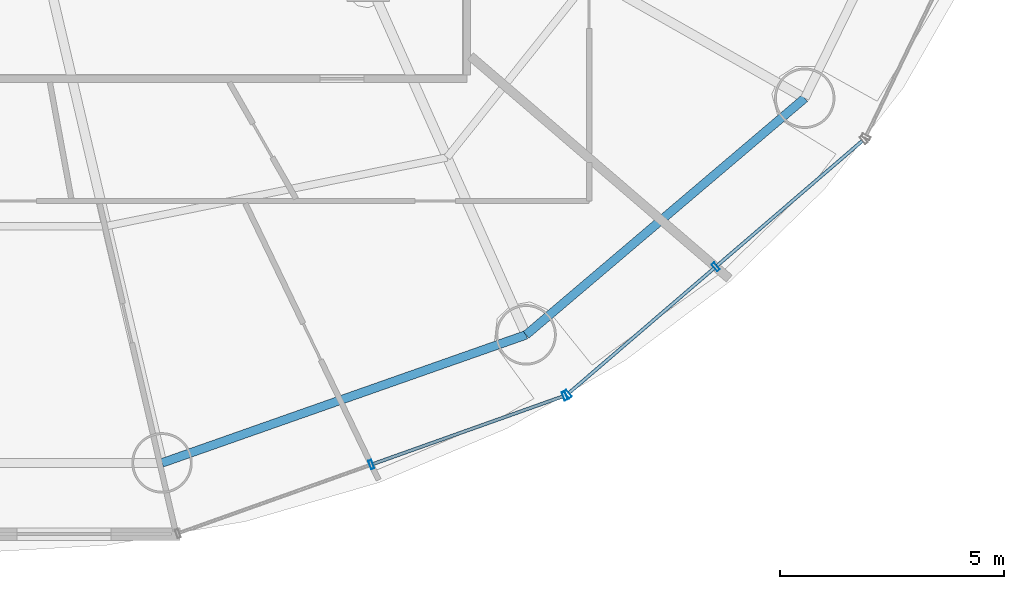
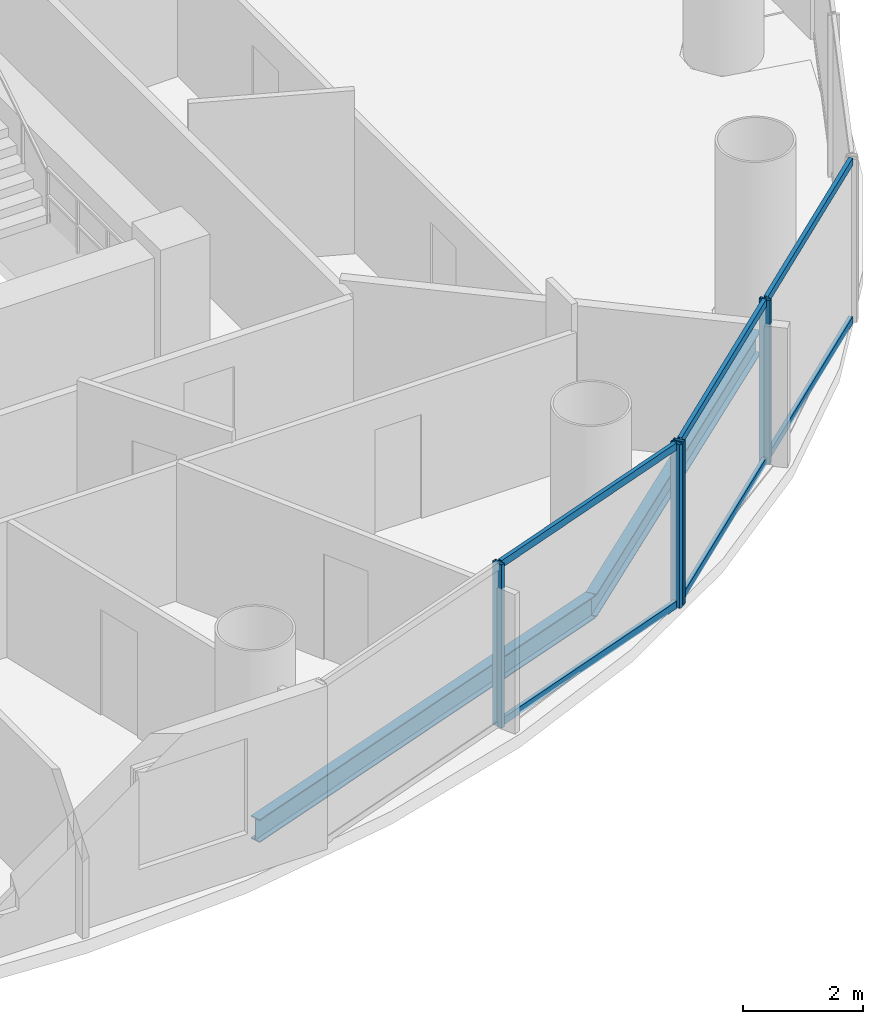
# One storey, part 9 of 27: 10 members, 2 beams, 2 elements without a shape of their own.
"""IFC4 building model written with IfcOpenShell, lengths in metres."""

import ifcopenshell
import ifcopenshell.guid

model = None  # the IFC model being written
_history = None  # IfcOwnerHistory: only IFC2X3 demands one
_inside = {}  # id of a spatial element -> (the spatial element, [elements in it])
_under = {}  # id of a project, library or spatial element -> (it, [spatial elements below it])
_declared = {}  # id of a project -> (the project, [libraries it declares])
_typed = {}  # id of a type object -> (the type object, [elements of that type])
_made_of = {}  # id of a material, layer set ... -> (it, [elements and type objects made of it])


def new_model(schema):
    """Start an empty IFC model of exactly this schema.

    Asked for "IFC4X3", IfcOpenShell would pick the latest addendum, in which some entities
    have other attributes; the version numbers below select the first issue.
    IFC2X3 requires an IfcOwnerHistory on every rooted entity: one is made here for all.
    """
    global model, _history
    if schema == "IFC4X3":
        model = ifcopenshell.file(schema_version=(4, 3, 0, 0))
    else:
        model = ifcopenshell.file(schema=schema)
    _inside.clear()
    _under.clear()
    _declared.clear()
    _typed.clear()
    _made_of.clear()
    _history = None
    if model.schema == "IFC2X3":
        org = make("IfcOrganization", Name="unknown")
        user = make(
            "IfcPersonAndOrganization",
            ThePerson=make("IfcPerson", FamilyName="unknown"),
            TheOrganization=org,
        )
        app = make(
            "IfcApplication",
            ApplicationDeveloper=org,
            Version="unknown",
            ApplicationFullName="unknown",
            ApplicationIdentifier="unknown",
        )
        _history = make(
            "IfcOwnerHistory",
            OwningUser=user,
            OwningApplication=app,
            ChangeAction="ADDED",
            CreationDate=0,
        )
    return model


def make(cls, **values):
    """One entity of the class cls with the attributes given. An attribute that is None is left unset."""
    return model.create_entity(
        cls, **{name: value for name, value in values.items() if value is not None}
    )


def rooted(cls, **values):
    """An entity with a GlobalId (a new one), such as an element, a storey or a relation."""
    return make(cls, GlobalId=ifcopenshell.guid.new(), OwnerHistory=_history, **values)


def si_unit(unit_type, name, prefix=None):
    """IfcSIUnit, for example si_unit("LENGTHUNIT", "METRE", prefix="MILLI")."""
    return make("IfcSIUnit", UnitType=unit_type, Prefix=prefix, Name=name)


def assignment(units):
    """IfcUnitAssignment: the units of a project."""
    return None if units is None else make("IfcUnitAssignment", Units=units)


def point(xyz):
    """IfcCartesianPoint."""
    return None if xyz is None else make("IfcCartesianPoint", Coordinates=xyz)


def direction(xyz):
    """IfcDirection."""
    return None if xyz is None else make("IfcDirection", DirectionRatios=xyz)


def frame(location, z_axis=None, x_axis=None):
    """IfcAxis2Placement3D, a coordinate frame: its origin and axes. An axis left out is left unset."""
    return make(
        "IfcAxis2Placement3D",
        Location=point(location),
        Axis=direction(z_axis),
        RefDirection=direction(x_axis),
    )


def frame_2d(location, x_axis=None):
    """IfcAxis2Placement2D, a coordinate frame in the plane: its origin and x axis."""
    return make(
        "IfcAxis2Placement2D", Location=point(location), RefDirection=direction(x_axis)
    )


def origin():
    """The frame at (0, 0, 0) with its axes left unset."""
    return frame((0.0, 0.0, 0.0))


def origin_2d():
    """The frame at (0, 0) in the plane with its x axis left unset."""
    return frame_2d((0.0, 0.0))


def place(relative_to, where):
    """IfcLocalPlacement: puts the frame where relative to a parent placement (None: the world)."""
    return make(
        "IfcLocalPlacement", PlacementRelTo=relative_to, RelativePlacement=where
    )


def context(
    kind, dimensions, precision=None, world=None, true_north=None, identifier=None
):
    """IfcGeometricRepresentationContext, for example the 3D "Model" context."""
    return make(
        "IfcGeometricRepresentationContext",
        ContextIdentifier=identifier,
        ContextType=kind,
        CoordinateSpaceDimension=dimensions,
        Precision=precision,
        WorldCoordinateSystem=world,
        TrueNorth=true_north,
    )


def subcontext(parent, identifier, kind, view, scale=None):
    """IfcGeometricRepresentationSubContext, for example "Body" below "Model"."""
    return make(
        "IfcGeometricRepresentationSubContext",
        ContextIdentifier=identifier,
        ContextType=kind,
        ParentContext=parent,
        TargetScale=scale,
        TargetView=view,
    )


def project(units=None, contexts=None):
    """IfcProject with its units and contexts."""
    return rooted(
        "IfcProject",
        Name="project",
        RepresentationContexts=contexts,
        UnitsInContext=assignment(units),
    )


def spatial(cls, under=None, at=None, **own):
    """A site, building, storey or space (cls), placed at a placement, below another one or the project."""
    s = rooted(cls, ObjectPlacement=at, **own)
    if under is not None:
        _under.setdefault(under.id(), (under, []))[1].append(s)
    return s


def profile(cls, at=None, kind="AREA", **sizes):
    """A parametric profile (cls). Its sizes go by their IFC names, for example OverallWidth=200.0."""
    return make(cls, ProfileType=kind, Position=at, **sizes)


def hollow_rectangle(**sizes):
    """IfcRectangleHollowProfileDef."""
    return profile("IfcRectangleHollowProfileDef", **sizes)


def i_section(**sizes):
    """IfcIShapeProfileDef."""
    return profile("IfcIShapeProfileDef", **sizes)


def extrude(swept, where, along, depth):
    """IfcExtrudedAreaSolid: the profile swept, set in the frame where, extruded along a direction by depth."""
    return make(
        "IfcExtrudedAreaSolid",
        SweptArea=swept,
        Position=where,
        ExtrudedDirection=direction(along),
        Depth=depth,
    )


def shape(context_of_items, identifier, shape_type, items):
    """IfcShapeRepresentation: the items that make up one representation, for example the "Body"."""
    return make(
        "IfcShapeRepresentation",
        ContextOfItems=context_of_items,
        RepresentationIdentifier=identifier,
        RepresentationType=shape_type,
        Items=items,
    )


def source(mapping_origin, context_of_items, identifier, shape_type, items):
    """IfcRepresentationMap: a shape defined once, which mapped items show again and again."""
    return make(
        "IfcRepresentationMap",
        MappingOrigin=mapping_origin,
        MappedRepresentation=shape(context_of_items, identifier, shape_type, items),
    )


def transform(
    local_origin,
    x_axis=None,
    y_axis=None,
    z_axis=None,
    scale=None,
    scale2=None,
    scale3=None,
    uniform=True,
):
    """IfcCartesianTransformationOperator3D, or its non-uniform kind. x_axis, y_axis, z_axis: its Axis1, 2, 3."""
    if uniform:
        return make(
            "IfcCartesianTransformationOperator3D",
            Axis1=direction(x_axis),
            Axis2=direction(y_axis),
            LocalOrigin=point(local_origin),
            Scale=scale,
            Axis3=direction(z_axis),
        )
    return make(
        "IfcCartesianTransformationOperator3DnonUniform",
        Axis1=direction(x_axis),
        Axis2=direction(y_axis),
        LocalOrigin=point(local_origin),
        Scale=scale,
        Axis3=direction(z_axis),
        Scale2=scale2,
        Scale3=scale3,
    )


def mapped(mapping_source, mapping_target):
    """IfcMappedItem: shows the shape of a source again, moved by a transform."""
    return make(
        "IfcMappedItem", MappingSource=mapping_source, MappingTarget=mapping_target
    )


def material(Name=None, Category=None):
    """IfcMaterial."""
    return make("IfcMaterial", Name=Name, Category=Category)


def material_profile(
    of_material, cross_section, Name=None, Category=None, Priority=None
):
    """IfcMaterialProfile: a cross section and its material."""
    return make(
        "IfcMaterialProfile",
        Name=Name,
        Material=of_material,
        Profile=cross_section,
        Priority=Priority,
        Category=Category,
    )


def profile_set(profiles, Name=None, composite=None):
    """IfcMaterialProfileSet."""
    return make(
        "IfcMaterialProfileSet",
        Name=Name,
        MaterialProfiles=profiles,
        CompositeProfile=composite,
    )


def made_of(thing, what):
    """Note that an element or type object is made of a material, layer set ...; save() writes the relation."""
    if what is not None:
        _made_of.setdefault(what.id(), (what, []))[1].append(thing)
    return thing


def type_object(cls, material=None, **own):
    """A type object (cls), such as IfcWallType, which elements share."""
    return made_of(rooted(cls, **own), material)


def element(
    cls,
    number,
    at=None,
    inside=None,
    cuts=None,
    type_object=None,
    material=None,
    context=None,
    identifier="Body",
    shape_type=None,
    held_by="IfcProductDefinitionShape",
    body=None,
    shapes=None,
    **own,
):
    """One element of the class cls, such as IfcWall. Its Tag is "e" and its number.

    at: its placement. inside: the storey or other place that contains it. cuts: it is an
    opening in that element (IfcRelVoidsElement). A single representation is given by context,
    identifier, shape_type and body (its items); several are given by shapes. held_by: the class
    of the entity that holds the representations. save() writes the other relations.
    """
    e = rooted(cls, Tag="e%d" % number, ObjectPlacement=at, **own)
    if body is not None:
        shapes = [shape(context, identifier, shape_type, body)]
    if shapes is not None:
        e.Representation = make(held_by, Representations=shapes)
    if inside is not None:
        _inside.setdefault(inside.id(), (inside, []))[1].append(e)
    if cuts is not None:
        rooted(
            "IfcRelVoidsElement", RelatingBuildingElement=cuts, RelatedOpeningElement=e
        )
    if type_object is not None:
        _typed.setdefault(type_object.id(), (type_object, []))[1].append(e)
    return made_of(e, material)


def aggregate(whole, parts):
    """IfcRelAggregates: a whole, such as a stair, and the parts it consists of."""
    return rooted("IfcRelAggregates", RelatingObject=whole, RelatedObjects=parts)


def save(model, path):
    """Write the relations noted so far, then the file.

    IfcRelAggregates (storeys below a building ...), IfcRelContainedInSpatialStructure (elements
    in a storey), IfcRelDefinesByType, IfcRelAssociatesMaterial and IfcRelDeclares: one each for
    every whole, place, type object, material and project.
    """
    for whole, parts in _under.values():
        aggregate(whole, parts)
    for where, things in _inside.values():
        rooted(
            "IfcRelContainedInSpatialStructure",
            RelatedElements=things,
            RelatingStructure=where,
        )
    for kind, things in _typed.values():
        rooted("IfcRelDefinesByType", RelatedObjects=things, RelatingType=kind)
    for what, things in _made_of.values():
        rooted("IfcRelAssociatesMaterial", RelatedObjects=things, RelatingMaterial=what)
    for by, libraries in _declared.values():
        rooted("IfcRelDeclares", RelatingContext=by, RelatedDefinitions=libraries)
    model.write(path)


model = new_model("IFC4")

# Units and contexts
model_context = context("Model", 3, precision=1e-05, world=origin(), true_north=direction((-0.2419218956, 0.970295726276)))
body_context = subcontext(model_context, "Body", "Model", "MODEL_VIEW")
ifc_project = project(units=[si_unit("LENGTHUNIT", "METRE"), si_unit("AREAUNIT", "SQUARE_METRE"), si_unit("VOLUMEUNIT", "CUBIC_METRE"), si_unit("PLANEANGLEUNIT", "RADIAN"), si_unit("MASSUNIT", "GRAM", prefix="KILO")], contexts=[model_context])

# Site, building, storey
site_placement = place(None, origin())
site = spatial("IfcSite", under=ifc_project, at=site_placement, CompositionType="ELEMENT")
building_placement = place(site_placement, origin())
building = spatial("IfcBuilding", under=site, at=building_placement, Name="Cobrevalo Terracotta Tower", CompositionType="ELEMENT")
storey_placement = place(building_placement, frame((0.0, 0.0, 146.199951171875)))
storey = spatial("IfcBuildingStorey", under=building, at=storey_placement, Name="L38", CompositionType="ELEMENT", Elevation=146.199951171875)

# Beams
ifc_material_1 = material(Name="Steel S355", Category="steel")
ifc_material_profile_1 = material_profile(ifc_material_1, i_section(OverallWidth=0.194091796875, OverallDepth=0.468994140625, WebThickness=0.011474609375, FlangeThickness=0.0205078125, at=origin_2d()), Name="W 460x106")
ifc_profile_set_1 = profile_set([ifc_material_profile_1], Name="Steel S355")
beam_type = type_object("IfcBeamType", Name="Structural Spandrel W 460x106 (Steel S355)", PredefinedType="SPANDREL", material=ifc_profile_set_1)
beam_1_placement = place(storey_placement, frame((42.399169921875, 8.01806640625, -0.50439453125), z_axis=(0.943341298492, 0.331824041565, 0.0), x_axis=(-0.331824041565, 0.943341298492, 0.0)))
element("IfcBeam", 1, at=beam_1_placement, inside=storey, type_object=beam_type, Name="L38 perimeter ring spandrel 13", PredefinedType="SPANDREL", context=body_context, shape_type="SweptSolid", body=[
    extrude(i_section(OverallWidth=0.194091796875, OverallDepth=0.468994140625, WebThickness=0.011474609375, FlangeThickness=0.0205078125, at=origin_2d()), origin(), (0.0, 0.0, 1.0), 8.6171875),
])
beam_2_placement = place(storey_placement, frame((50.528076171875, 10.87744140625, -0.50439453125), z_axis=(0.762240337798, 0.647294112003, 0.0), x_axis=(-0.647294112003, 0.762240337798, 0.0)))
element("IfcBeam", 2, at=beam_2_placement, inside=storey, type_object=beam_type, Name="L38 perimeter ring spandrel 14", PredefinedType="SPANDREL", context=body_context, shape_type="SweptSolid", body=[
    extrude(i_section(OverallWidth=0.194091796875, OverallDepth=0.468994140625, WebThickness=0.011474609375, FlangeThickness=0.0205078125, at=origin_2d()), origin(), (0.0, 0.0, 1.0), 8.162353515625),
])

# Curtain wall, members
ifc_material_2 = material(Name="Anodized aluminium", Category="aluminium")
curtain_wall_type = type_object("IfcCurtainWallType", Name="Mid-tower high-wind unitised curtain wall CW-U2", PredefinedType="NOTDEFINED", material=ifc_material_2)
curtain_wall_1_placement = place(storey_placement, origin())
curtain_wall_1 = element("IfcCurtainWall", 3, at=curtain_wall_1_placement, inside=storey, type_object=curtain_wall_type, Name="L38 curtain wall CW-L38-S13", PredefinedType="NOTDEFINED")
ifc_material_profile_2 = material_profile(ifc_material_2, hollow_rectangle(XDim=0.074951171875, YDim=0.199951171875, WallThickness=0.0048828125, at=origin_2d()), Name="CWM 75x200")
ifc_profile_set_2 = profile_set([ifc_material_profile_2], Name="Anodized aluminium")
member_type_1 = type_object("IfcMemberType", Name="Lower/mid tower unitised mullion 75x200", PredefinedType="MULLION", material=ifc_profile_set_2)
shared_shape_1 = source(origin(), body_context, "Body", "SweptSolid", [
    extrude(hollow_rectangle(XDim=0.074951171875, YDim=0.199951171875, WallThickness=0.0048828125, at=origin_2d()), origin(), (0.0, 0.0, 1.0), 3.330078125),
])
member_1_placement = place(storey_placement, frame((47.07177734375, 7.979736328125, 0.0), z_axis=(0.0, 0.0, 1.0), x_axis=(0.942098428897, 0.335336473217, 0.0)))
member_1 = element("IfcMember", 4, at=member_1_placement, type_object=member_type_1, Name="CW-L38-S13 vertical mullion 02", PredefinedType="MULLION", context=body_context, shape_type="MappedRepresentation", body=[
    mapped(shared_shape_1, transform((0.0, 0.0, 0.0), scale=1.0)),
])
member_2_placement = place(storey_placement, frame((51.390380859375, 9.516845703125, 0.0), z_axis=(0.0, 0.0, 1.0), x_axis=(0.942098428897, 0.335336473217, 0.0)))
member_2 = element("IfcMember", 5, at=member_2_placement, type_object=member_type_1, Name="CW-L38-S13 vertical mullion 03", PredefinedType="MULLION", context=body_context, shape_type="MappedRepresentation", body=[
    mapped(shared_shape_1, transform((0.0, 0.0, 0.0), scale=1.0)),
])

curtain_wall_2_placement = place(storey_placement, origin())
curtain_wall_2 = element("IfcCurtainWall", 6, at=curtain_wall_2_placement, inside=storey, type_object=curtain_wall_type, Name="L38 curtain wall CW-L38-S14", PredefinedType="NOTDEFINED")
member_3_placement = place(storey_placement, frame((51.45849609375, 9.556396484375, 0.0), z_axis=(0.0, 0.0, 1.0), x_axis=(0.758441546142, 0.65174106905, 0.0)))
member_3 = element("IfcMember", 7, at=member_3_placement, type_object=member_type_1, Name="CW-L38-S14 vertical mullion 01", PredefinedType="MULLION", context=body_context, shape_type="MappedRepresentation", body=[
    mapped(shared_shape_1, transform((0.0, 0.0, 0.0), scale=1.0)),
])
member_4_placement = place(storey_placement, frame((54.762451171875, 12.3955078125, 0.0), z_axis=(0.0, 0.0, 1.0), x_axis=(0.758441546142, 0.65174106905, 0.0)))
member_4 = element("IfcMember", 8, at=member_4_placement, type_object=member_type_1, Name="CW-L38-S14 vertical mullion 02", PredefinedType="MULLION", context=body_context, shape_type="MappedRepresentation", body=[
    mapped(shared_shape_1, transform((0.0, 0.0, 0.0), scale=1.0)),
])
ifc_material_profile_3 = material_profile(ifc_material_2, hollow_rectangle(XDim=0.074951171875, YDim=0.14990234375, WallThickness=0.00439453125, at=origin_2d()), Name="CWT 75x150")
ifc_profile_set_3 = profile_set([ifc_material_profile_3], Name="Anodized aluminium")
member_type_2 = type_object("IfcMemberType", Name="Tower unitised aluminium transom 75x150", PredefinedType="USERDEFINED", material=ifc_profile_set_3)
shared_shape_2 = source(origin(), body_context, "Body", "SweptSolid", [
    extrude(hollow_rectangle(XDim=0.074951171875, YDim=0.14990234375, WallThickness=0.00439453125, at=origin_2d()), origin(), (0.0, 0.0, 1.0), 4.276123046875),
])
member_5_placement = place(storey_placement, frame((51.48876953125, 9.58251953125, 0.050048828125), z_axis=(0.758417719247, 0.651768795764, 0.0), x_axis=(-0.651768795764, 0.758417719247, 0.0)))
member_5 = element("IfcMember", 9, at=member_5_placement, type_object=member_type_2, Name="CW-L38-S14 transom B01-T1", ObjectType="TRANSOM", PredefinedType="USERDEFINED", context=body_context, shape_type="MappedRepresentation", body=[
    mapped(shared_shape_2, transform((0.0, 0.0, 0.0), scale=1.0)),
])
member_6_placement = place(storey_placement, frame((51.48876953125, 9.58251953125, 3.280029296875), z_axis=(0.758417719247, 0.651768795764, 0.0), x_axis=(-0.651768795764, 0.758417719247, 0.0)))
member_6 = element("IfcMember", 10, at=member_6_placement, type_object=member_type_2, Name="CW-L38-S14 transom B01-T2", ObjectType="TRANSOM", PredefinedType="USERDEFINED", context=body_context, shape_type="MappedRepresentation", body=[
    mapped(shared_shape_2, transform((0.0, 0.0, 0.0), scale=1.0)),
])
member_7_placement = place(storey_placement, frame((54.792724609375, 12.421630859375, 0.050048828125), z_axis=(0.758417719247, 0.651768795764, 0.0), x_axis=(-0.651768795764, 0.758417719247, 0.0)))
member_7 = element("IfcMember", 11, at=member_7_placement, type_object=member_type_2, Name="CW-L38-S14 transom B02-T1", ObjectType="TRANSOM", PredefinedType="USERDEFINED", context=body_context, shape_type="MappedRepresentation", body=[
    mapped(shared_shape_2, transform((0.0, 0.0, 0.0), scale=1.0)),
])
member_8_placement = place(storey_placement, frame((54.792724609375, 12.421630859375, 3.280029296875), z_axis=(0.758417719247, 0.651768795764, 0.0), x_axis=(-0.651768795764, 0.758417719247, 0.0)))
member_8 = element("IfcMember", 12, at=member_8_placement, type_object=member_type_2, Name="CW-L38-S14 transom B02-T2", ObjectType="TRANSOM", PredefinedType="USERDEFINED", context=body_context, shape_type="MappedRepresentation", body=[
    mapped(shared_shape_2, transform((0.0, 0.0, 0.0), scale=1.0)),
])
aggregate(curtain_wall_2, [member_3, member_4, member_5, member_6, member_7, member_8])

# Member
shared_shape_3 = source(origin(), body_context, "Body", "SweptSolid", [
    extrude(hollow_rectangle(XDim=0.074951171875, YDim=0.14990234375, WallThickness=0.00439453125, at=origin_2d()), origin(), (0.0, 0.0, 1.0), 4.504150390625),
])
member_9_placement = place(storey_placement, frame((47.109375, 7.9931640625, 0.050048828125), z_axis=(0.942093344241, 0.335350757771, 0.0), x_axis=(-0.335350757771, 0.942093344241, 0.0)))
member_9 = element("IfcMember", 13, at=member_9_placement, type_object=member_type_2, Name="CW-L38-S13 transom B02-T1", ObjectType="TRANSOM", PredefinedType="USERDEFINED", context=body_context, shape_type="MappedRepresentation", body=[
    mapped(shared_shape_3, transform((0.0, 0.0, 0.0), scale=1.0)),
])

member_10_placement = place(storey_placement, frame((47.109375, 7.9931640625, 3.280029296875), z_axis=(0.942093344241, 0.335350757771, 0.0), x_axis=(-0.335350757771, 0.942093344241, 0.0)))
member_10 = element("IfcMember", 14, at=member_10_placement, type_object=member_type_2, Name="CW-L38-S13 transom B02-T2", ObjectType="TRANSOM", PredefinedType="USERDEFINED", context=body_context, shape_type="MappedRepresentation", body=[
    mapped(shared_shape_3, transform((0.0, 0.0, 0.0), scale=1.0)),
])

aggregate(curtain_wall_1, [member_1, member_2, member_9, member_10])

save(model, "model.ifc")
